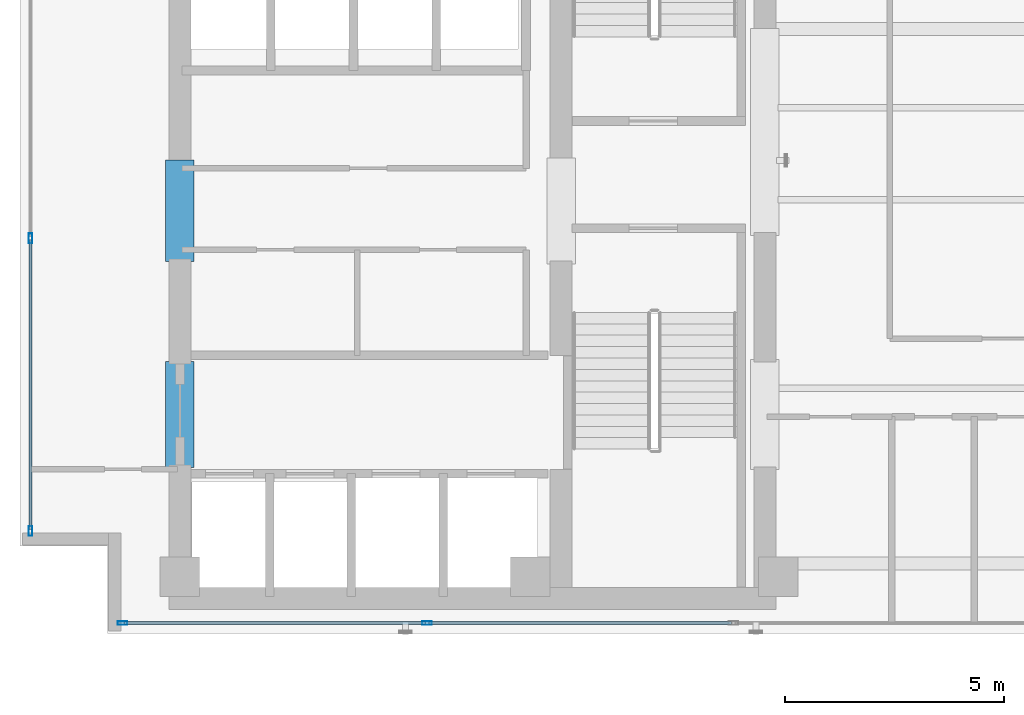
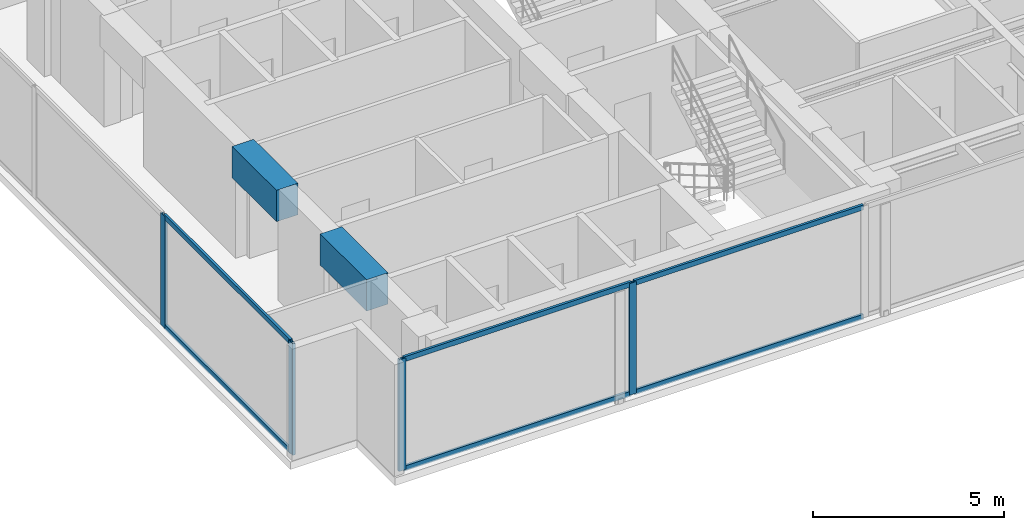
# One storey, part 2 of 23: 10 members, 2 beams, 2 elements without a shape of their own.
"""IFC4 building model written with IfcOpenShell, lengths in metres."""

from ifc_helpers import new_model, si_unit, direction, frame, origin, origin_with_axes, origin_2d, place, context, subcontext, project, spatial, rectangle, hollow_rectangle, extrude, source, transform, mapped, material, layer, layer_set, material_profile, profile_set, type_object, element, aggregate, save


model = new_model("IFC4")

# Units and contexts
model_context = context("Model", 3, precision=1e-05, world=origin(), true_north=direction((0.0, 1.0)))
body_context = subcontext(model_context, "Body", "Model", "MODEL_VIEW")
ifc_project = project(units=[si_unit("LENGTHUNIT", "METRE"), si_unit("AREAUNIT", "SQUARE_METRE"), si_unit("VOLUMEUNIT", "CUBIC_METRE"), si_unit("PLANEANGLEUNIT", "RADIAN"), si_unit("MASSUNIT", "GRAM", prefix="KILO")], contexts=[model_context])

# Site, building, storey
site_placement = place(None, origin())
site = spatial("IfcSite", under=ifc_project, at=site_placement, CompositionType="ELEMENT")
building_placement = place(site_placement, origin())
building = spatial("IfcBuilding", under=site, at=building_placement, Name="Kolvaren Waterfront Exchange", CompositionType="ELEMENT")
storey_placement = place(building_placement, frame((0.0, 0.0, 289.39990234375)))
storey = spatial("IfcBuildingStorey", under=building, at=storey_placement, Name="L74", CompositionType="ELEMENT", Elevation=289.39990234375)

# Beams
ifc_material_1 = material(Name="Concrete C60/75", Category="concrete")
ifc_material_profile_1 = material_profile(ifc_material_1, rectangle(XDim=0.64990234375, YDim=1.0, at=origin_2d()), Name="RC-CB-1000x650")
ifc_profile_set_1 = profile_set([ifc_material_profile_1], Name="Concrete C60/75")
beam_type = type_object("IfcBeamType", Name="STR-CB-1000", PredefinedType="SPANDREL", material=ifc_profile_set_1)
beam_1_placement = place(storey_placement, frame((7.449951171875, 7.389892578125, 3.06005859375), z_axis=(0.0, 1.0, 0.0), x_axis=(-1.0, 0.0, 0.0)))
element("IfcBeam", 1, at=beam_1_placement, inside=storey, type_object=beam_type, Name="L74 core coupling beam 3", PredefinedType="SPANDREL", context=body_context, shape_type="SweptSolid", body=[
    extrude(rectangle(XDim=0.64990234375, YDim=1.0, at=origin_2d()), origin(), (0.0, 0.0, 1.0), 2.420166015625),
])
beam_2_placement = place(storey_placement, frame((7.449951171875, 12.090087890625, 3.06005859375), z_axis=(0.0, 1.0, 0.0), x_axis=(-1.0, 0.0, 0.0)))
element("IfcBeam", 2, at=beam_2_placement, inside=storey, type_object=beam_type, Name="L74 core coupling beam 4", PredefinedType="SPANDREL", context=body_context, shape_type="SweptSolid", body=[
    extrude(rectangle(XDim=0.64990234375, YDim=1.0, at=origin_2d()), origin(), (0.0, 0.0, 1.0), 2.31982421875),
])

# Curtain wall, members
ifc_material_2 = material(Name="Anodised bronze aluminium 6063-T6", Category="aluminium")
ifc_layer_1 = layer(ifc_material_2, 0.219970703125, Name="Anodised bronze aluminium 6063-T6")
ifc_layer_set_1 = layer_set([ifc_layer_1], Name="Anodised bronze aluminium 6063-T6")
curtain_wall_type_1 = type_object("IfcCurtainWallType", Name="ARC-CW-SYS1", PredefinedType="USERDEFINED", material=ifc_layer_set_1)
curtain_wall_1_placement = place(storey_placement, origin())
curtain_wall_1 = element("IfcCurtainWall", 3, at=curtain_wall_1_placement, inside=storey, type_object=curtain_wall_type_1, Name="L74 stick curtain wall CW1 (CW-L74-S)", ObjectType="STICK CURTAIN WALL", PredefinedType="USERDEFINED")
ifc_material_3 = material(Name="Anodised aluminium 6063-T6", Category="aluminium")
ifc_material_profile_2 = material_profile(ifc_material_3, hollow_rectangle(XDim=0.080078125, YDim=0.219970703125, WallThickness=0.0048828125, at=origin_2d()), Name="ALU-MUL-220x80x5")
ifc_profile_set_2 = profile_set([ifc_material_profile_2], Name="Anodised aluminium 6063-T6")
member_type_1 = type_object("IfcMemberType", Name="ARC-CWM-220", PredefinedType="MULLION", material=ifc_profile_set_2)
shared_shape_1 = source(origin_with_axes(), body_context, "Body", "SweptSolid", [
    extrude(hollow_rectangle(XDim=0.080078125, YDim=0.219970703125, WallThickness=0.0048828125, at=origin_2d()), origin(), (0.0, 0.0, 1.0), 3.56005859375),
])
member_1_placement = place(storey_placement, frame((6.139892578125, 3.840087890625, 0.0), z_axis=(0.0, 0.0, 1.0), x_axis=(0.0, 1.0, 0.0)))
member_1 = element("IfcMember", 4, at=member_1_placement, type_object=member_type_1, Name="CW1 mullion 1", PredefinedType="MULLION", context=body_context, shape_type="MappedRepresentation", body=[
    mapped(shared_shape_1, transform((0.0, 0.0, 0.0), x_axis=(1.0, 0.0, 0.0), y_axis=(0.0, 1.0, 0.0), z_axis=(0.0, 0.0, 1.0), scale=1.0)),
])
member_2_placement = place(storey_placement, frame((13.09033203125, 3.840087890625, 0.0), z_axis=(0.0, 0.0, 1.0), x_axis=(0.0, 1.0, 0.0)))
member_2 = element("IfcMember", 5, at=member_2_placement, type_object=member_type_1, Name="CW1 mullion 2", PredefinedType="MULLION", context=body_context, shape_type="MappedRepresentation", body=[
    mapped(shared_shape_1, transform((0.0, 0.0, 0.0), x_axis=(1.0, 0.0, 0.0), y_axis=(0.0, 1.0, 0.0), z_axis=(0.0, 0.0, 1.0), scale=1.0)),
])

ifc_layer_2 = layer(ifc_material_3, 0.219970703125, Name="Anodised aluminium 6063-T6")
ifc_layer_set_2 = layer_set([ifc_layer_2], Name="Anodised aluminium 6063-T6")
curtain_wall_type_2 = type_object("IfcCurtainWallType", Name="ARC-CW-SYS2", PredefinedType="USERDEFINED", material=ifc_layer_set_2)
curtain_wall_2_placement = place(storey_placement, origin())
curtain_wall_2 = element("IfcCurtainWall", 6, at=curtain_wall_2_placement, inside=storey, type_object=curtain_wall_type_2, Name="L74 stick curtain wall CW2 (CW-L74-W)", ObjectType="STICK CURTAIN WALL", PredefinedType="USERDEFINED")
member_3_placement = place(storey_placement, frame((4.0400390625, 5.93994140625, 0.0), z_axis=(0.0, 0.0, 1.0), x_axis=(-1.0, 0.0, 0.0)))
member_3 = element("IfcMember", 7, at=member_3_placement, type_object=member_type_1, Name="CW2 mullion 1", PredefinedType="MULLION", context=body_context, shape_type="MappedRepresentation", body=[
    mapped(shared_shape_1, transform((0.0, 0.0, 0.0), x_axis=(1.0, 0.0, 0.0), y_axis=(0.0, 1.0, 0.0), z_axis=(0.0, 0.0, 1.0), scale=1.0)),
])
member_4_placement = place(storey_placement, frame((4.0400390625, 12.623779296875, 0.0), z_axis=(0.0, 0.0, 1.0), x_axis=(-1.0, 0.0, 0.0)))
member_4 = element("IfcMember", 8, at=member_4_placement, type_object=member_type_1, Name="CW2 mullion 2", PredefinedType="MULLION", context=body_context, shape_type="MappedRepresentation", body=[
    mapped(shared_shape_1, transform((0.0, 0.0, 0.0), x_axis=(1.0, 0.0, 0.0), y_axis=(0.0, 1.0, 0.0), z_axis=(0.0, 0.0, 1.0), scale=1.0)),
])

# Member
ifc_material_profile_3 = material_profile(ifc_material_3, hollow_rectangle(XDim=0.074951171875, YDim=0.159912109375, WallThickness=0.00439453125, at=origin_2d()), Name="ALU-TRN-160x75x4.5")
ifc_profile_set_3 = profile_set([ifc_material_profile_3], Name="Anodised aluminium 6063-T6")
member_type_2 = type_object("IfcMemberType", Name="ARC-CWT-160", PredefinedType="USERDEFINED", material=ifc_profile_set_3)
shared_shape_2 = source(origin_with_axes(), body_context, "Body", "SweptSolid", [
    extrude(hollow_rectangle(XDim=0.074951171875, YDim=0.159912109375, WallThickness=0.00439453125, at=origin_2d()), origin(), (0.0, 0.0, 1.0), 6.870361328125),
])
member_5_placement = place(storey_placement, frame((6.179931640625, 3.840087890625, 0.03759765625), z_axis=(1.0, 0.0, 0.0), x_axis=(0.0, 1.0, 0.0)))
member_5 = element("IfcMember", 9, at=member_5_placement, type_object=member_type_2, Name="CW1 transom 1.1", ObjectType="TRANSOM", PredefinedType="USERDEFINED", context=body_context, shape_type="MappedRepresentation", body=[
    mapped(shared_shape_2, transform((0.0, 0.0, 0.0), x_axis=(1.0, 0.0, 0.0), y_axis=(0.0, 1.0, 0.0), z_axis=(0.0, 0.0, 1.0), scale=1.0)),
])

member_6_placement = place(storey_placement, frame((6.179931640625, 3.840087890625, 3.522705078125), z_axis=(1.0, 0.0, 0.0), x_axis=(0.0, 1.0, 0.0)))
member_6 = element("IfcMember", 10, at=member_6_placement, type_object=member_type_2, Name="CW1 transom 1.2", ObjectType="TRANSOM", PredefinedType="USERDEFINED", context=body_context, shape_type="MappedRepresentation", body=[
    mapped(shared_shape_2, transform((0.0, 0.0, 0.0), x_axis=(1.0, 0.0, 0.0), y_axis=(0.0, 1.0, 0.0), z_axis=(0.0, 0.0, 1.0), scale=1.0)),
])

shared_shape_3 = source(origin_with_axes(), body_context, "Body", "SweptSolid", [
    extrude(hollow_rectangle(XDim=0.074951171875, YDim=0.159912109375, WallThickness=0.00439453125, at=origin_2d()), origin(), (0.0, 0.0, 1.0), 6.910400390625),
])
member_7_placement = place(storey_placement, frame((13.13037109375, 3.840087890625, 0.03759765625), z_axis=(1.0, 0.0, 0.0), x_axis=(0.0, 1.0, 0.0)))
member_7 = element("IfcMember", 11, at=member_7_placement, type_object=member_type_2, Name="CW1 transom 2.1", ObjectType="TRANSOM", PredefinedType="USERDEFINED", context=body_context, shape_type="MappedRepresentation", body=[
    mapped(shared_shape_3, transform((0.0, 0.0, 0.0), x_axis=(1.0, 0.0, 0.0), y_axis=(0.0, 1.0, 0.0), z_axis=(0.0, 0.0, 1.0), scale=1.0)),
])

member_8_placement = place(storey_placement, frame((13.13037109375, 3.840087890625, 3.522705078125), z_axis=(1.0, 0.0, 0.0), x_axis=(0.0, 1.0, 0.0)))
member_8 = element("IfcMember", 12, at=member_8_placement, type_object=member_type_2, Name="CW1 transom 2.2", ObjectType="TRANSOM", PredefinedType="USERDEFINED", context=body_context, shape_type="MappedRepresentation", body=[
    mapped(shared_shape_3, transform((0.0, 0.0, 0.0), x_axis=(1.0, 0.0, 0.0), y_axis=(0.0, 1.0, 0.0), z_axis=(0.0, 0.0, 1.0), scale=1.0)),
])

aggregate(curtain_wall_1, [member_1, member_2, member_5, member_6, member_7, member_8])

shared_shape_4 = source(origin_with_axes(), body_context, "Body", "SweptSolid", [
    extrude(hollow_rectangle(XDim=0.074951171875, YDim=0.159912109375, WallThickness=0.00439453125, at=origin_2d()), origin(), (0.0, 0.0, 1.0), 6.603759765625),
])
member_9_placement = place(storey_placement, frame((4.0400390625, 5.97998046875, 0.03759765625), z_axis=(0.0, 1.0, 0.0), x_axis=(-1.0, 0.0, 0.0)))
member_9 = element("IfcMember", 13, at=member_9_placement, type_object=member_type_2, Name="CW2 transom 1.1", ObjectType="TRANSOM", PredefinedType="USERDEFINED", context=body_context, shape_type="MappedRepresentation", body=[
    mapped(shared_shape_4, transform((0.0, 0.0, 0.0), x_axis=(1.0, 0.0, 0.0), y_axis=(0.0, 1.0, 0.0), z_axis=(0.0, 0.0, 1.0), scale=1.0)),
])

member_10_placement = place(storey_placement, frame((4.0400390625, 5.97998046875, 3.522705078125), z_axis=(0.0, 1.0, 0.0), x_axis=(-1.0, 0.0, 0.0)))
member_10 = element("IfcMember", 14, at=member_10_placement, type_object=member_type_2, Name="CW2 transom 1.2", ObjectType="TRANSOM", PredefinedType="USERDEFINED", context=body_context, shape_type="MappedRepresentation", body=[
    mapped(shared_shape_4, transform((0.0, 0.0, 0.0), x_axis=(1.0, 0.0, 0.0), y_axis=(0.0, 1.0, 0.0), z_axis=(0.0, 0.0, 1.0), scale=1.0)),
])

aggregate(curtain_wall_2, [member_3, member_4, member_9, member_10])

save(model, "model.ifc")
